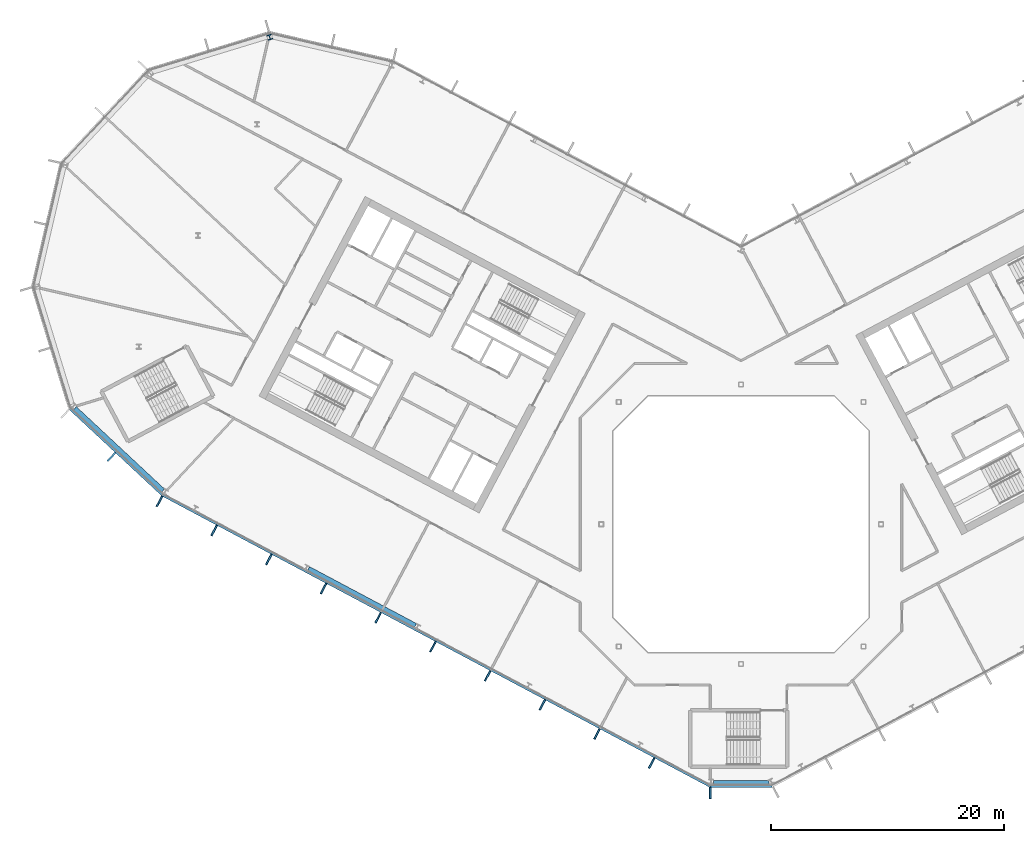
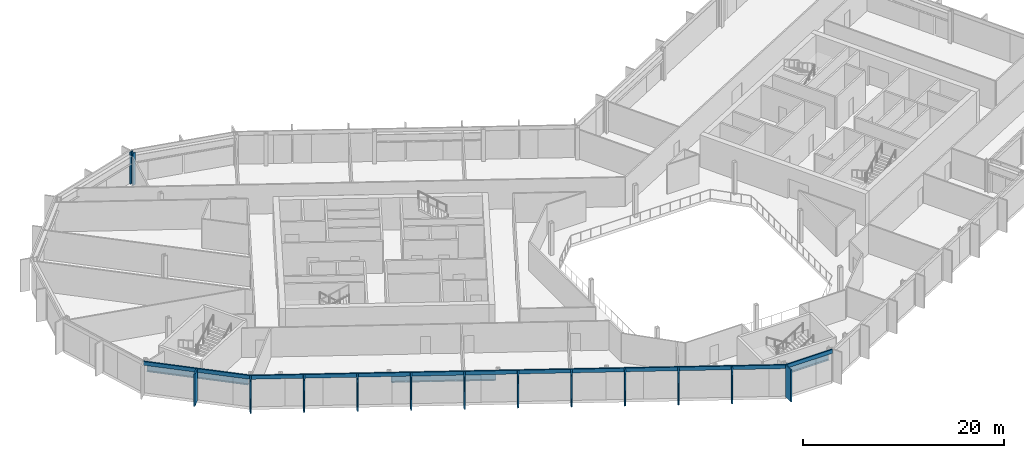
# One storey, part 8 of 27: 15 members, 3 beams, 1 column, 3 elements without a shape of their own.
"""IFC4 building model written with IfcOpenShell, lengths in metres."""

import ifcopenshell
import ifcopenshell.guid

model = None  # the IFC model being written
_history = None  # IfcOwnerHistory: only IFC2X3 demands one
_inside = {}  # id of a spatial element -> (the spatial element, [elements in it])
_under = {}  # id of a project, library or spatial element -> (it, [spatial elements below it])
_declared = {}  # id of a project -> (the project, [libraries it declares])
_typed = {}  # id of a type object -> (the type object, [elements of that type])
_made_of = {}  # id of a material, layer set ... -> (it, [elements and type objects made of it])


def new_model(schema):
    """Start an empty IFC model of exactly this schema.

    Asked for "IFC4X3", IfcOpenShell would pick the latest addendum, in which some entities
    have other attributes; the version numbers below select the first issue.
    IFC2X3 requires an IfcOwnerHistory on every rooted entity: one is made here for all.
    """
    global model, _history
    if schema == "IFC4X3":
        model = ifcopenshell.file(schema_version=(4, 3, 0, 0))
    else:
        model = ifcopenshell.file(schema=schema)
    _inside.clear()
    _under.clear()
    _declared.clear()
    _typed.clear()
    _made_of.clear()
    _history = None
    if model.schema == "IFC2X3":
        org = make("IfcOrganization", Name="unknown")
        user = make(
            "IfcPersonAndOrganization",
            ThePerson=make("IfcPerson", FamilyName="unknown"),
            TheOrganization=org,
        )
        app = make(
            "IfcApplication",
            ApplicationDeveloper=org,
            Version="unknown",
            ApplicationFullName="unknown",
            ApplicationIdentifier="unknown",
        )
        _history = make(
            "IfcOwnerHistory",
            OwningUser=user,
            OwningApplication=app,
            ChangeAction="ADDED",
            CreationDate=0,
        )
    return model


def make(cls, **values):
    """One entity of the class cls with the attributes given. An attribute that is None is left unset."""
    return model.create_entity(
        cls, **{name: value for name, value in values.items() if value is not None}
    )


def rooted(cls, **values):
    """An entity with a GlobalId (a new one), such as an element, a storey or a relation."""
    return make(cls, GlobalId=ifcopenshell.guid.new(), OwnerHistory=_history, **values)


def si_unit(unit_type, name, prefix=None):
    """IfcSIUnit, for example si_unit("LENGTHUNIT", "METRE", prefix="MILLI")."""
    return make("IfcSIUnit", UnitType=unit_type, Prefix=prefix, Name=name)


def assignment(units):
    """IfcUnitAssignment: the units of a project."""
    return None if units is None else make("IfcUnitAssignment", Units=units)


def point(xyz):
    """IfcCartesianPoint."""
    return None if xyz is None else make("IfcCartesianPoint", Coordinates=xyz)


def direction(xyz):
    """IfcDirection."""
    return None if xyz is None else make("IfcDirection", DirectionRatios=xyz)


def frame(location, z_axis=None, x_axis=None):
    """IfcAxis2Placement3D, a coordinate frame: its origin and axes. An axis left out is left unset."""
    return make(
        "IfcAxis2Placement3D",
        Location=point(location),
        Axis=direction(z_axis),
        RefDirection=direction(x_axis),
    )


def frame_2d(location, x_axis=None):
    """IfcAxis2Placement2D, a coordinate frame in the plane: its origin and x axis."""
    return make(
        "IfcAxis2Placement2D", Location=point(location), RefDirection=direction(x_axis)
    )


def origin():
    """The frame at (0, 0, 0) with its axes left unset."""
    return frame((0.0, 0.0, 0.0))


def origin_2d():
    """The frame at (0, 0) in the plane with its x axis left unset."""
    return frame_2d((0.0, 0.0))


def place(relative_to, where):
    """IfcLocalPlacement: puts the frame where relative to a parent placement (None: the world)."""
    return make(
        "IfcLocalPlacement", PlacementRelTo=relative_to, RelativePlacement=where
    )


def context(
    kind, dimensions, precision=None, world=None, true_north=None, identifier=None
):
    """IfcGeometricRepresentationContext, for example the 3D "Model" context."""
    return make(
        "IfcGeometricRepresentationContext",
        ContextIdentifier=identifier,
        ContextType=kind,
        CoordinateSpaceDimension=dimensions,
        Precision=precision,
        WorldCoordinateSystem=world,
        TrueNorth=true_north,
    )


def subcontext(parent, identifier, kind, view, scale=None):
    """IfcGeometricRepresentationSubContext, for example "Body" below "Model"."""
    return make(
        "IfcGeometricRepresentationSubContext",
        ContextIdentifier=identifier,
        ContextType=kind,
        ParentContext=parent,
        TargetScale=scale,
        TargetView=view,
    )


def project(units=None, contexts=None):
    """IfcProject with its units and contexts."""
    return rooted(
        "IfcProject",
        Name="project",
        RepresentationContexts=contexts,
        UnitsInContext=assignment(units),
    )


def spatial(cls, under=None, at=None, **own):
    """A site, building, storey or space (cls), placed at a placement, below another one or the project."""
    s = rooted(cls, ObjectPlacement=at, **own)
    if under is not None:
        _under.setdefault(under.id(), (under, []))[1].append(s)
    return s


def profile(cls, at=None, kind="AREA", **sizes):
    """A parametric profile (cls). Its sizes go by their IFC names, for example OverallWidth=200.0."""
    return make(cls, ProfileType=kind, Position=at, **sizes)


def rectangle(**sizes):
    """IfcRectangleProfileDef."""
    return profile("IfcRectangleProfileDef", **sizes)


def i_section(**sizes):
    """IfcIShapeProfileDef."""
    return profile("IfcIShapeProfileDef", **sizes)


def extrude(swept, where, along, depth):
    """IfcExtrudedAreaSolid: the profile swept, set in the frame where, extruded along a direction by depth."""
    return make(
        "IfcExtrudedAreaSolid",
        SweptArea=swept,
        Position=where,
        ExtrudedDirection=direction(along),
        Depth=depth,
    )


def shape(context_of_items, identifier, shape_type, items):
    """IfcShapeRepresentation: the items that make up one representation, for example the "Body"."""
    return make(
        "IfcShapeRepresentation",
        ContextOfItems=context_of_items,
        RepresentationIdentifier=identifier,
        RepresentationType=shape_type,
        Items=items,
    )


def material(Name=None, Category=None):
    """IfcMaterial."""
    return make("IfcMaterial", Name=Name, Category=Category)


def layer(
    of_material, thickness, ventilated=None, Name=None, Category=None, Priority=None
):
    """IfcMaterialLayer: one layer of a wall or slab, of a material (None: an air gap)."""
    return make(
        "IfcMaterialLayer",
        Material=of_material,
        LayerThickness=thickness,
        IsVentilated=ventilated,
        Name=Name,
        Category=Category,
        Priority=Priority,
    )


def layer_set(layers, Name=None):
    """IfcMaterialLayerSet."""
    return make("IfcMaterialLayerSet", MaterialLayers=layers, LayerSetName=Name)


def material_profile(
    of_material, cross_section, Name=None, Category=None, Priority=None
):
    """IfcMaterialProfile: a cross section and its material."""
    return make(
        "IfcMaterialProfile",
        Name=Name,
        Material=of_material,
        Profile=cross_section,
        Priority=Priority,
        Category=Category,
    )


def profile_set(profiles, Name=None, composite=None):
    """IfcMaterialProfileSet."""
    return make(
        "IfcMaterialProfileSet",
        Name=Name,
        MaterialProfiles=profiles,
        CompositeProfile=composite,
    )


def made_of(thing, what):
    """Note that an element or type object is made of a material, layer set ...; save() writes the relation."""
    if what is not None:
        _made_of.setdefault(what.id(), (what, []))[1].append(thing)
    return thing


def type_object(cls, material=None, **own):
    """A type object (cls), such as IfcWallType, which elements share."""
    return made_of(rooted(cls, **own), material)


def element(
    cls,
    number,
    at=None,
    inside=None,
    cuts=None,
    type_object=None,
    material=None,
    context=None,
    identifier="Body",
    shape_type=None,
    held_by="IfcProductDefinitionShape",
    body=None,
    shapes=None,
    **own,
):
    """One element of the class cls, such as IfcWall. Its Tag is "e" and its number.

    at: its placement. inside: the storey or other place that contains it. cuts: it is an
    opening in that element (IfcRelVoidsElement). A single representation is given by context,
    identifier, shape_type and body (its items); several are given by shapes. held_by: the class
    of the entity that holds the representations. save() writes the other relations.
    """
    e = rooted(cls, Tag="e%d" % number, ObjectPlacement=at, **own)
    if body is not None:
        shapes = [shape(context, identifier, shape_type, body)]
    if shapes is not None:
        e.Representation = make(held_by, Representations=shapes)
    if inside is not None:
        _inside.setdefault(inside.id(), (inside, []))[1].append(e)
    if cuts is not None:
        rooted(
            "IfcRelVoidsElement", RelatingBuildingElement=cuts, RelatedOpeningElement=e
        )
    if type_object is not None:
        _typed.setdefault(type_object.id(), (type_object, []))[1].append(e)
    return made_of(e, material)


def aggregate(whole, parts):
    """IfcRelAggregates: a whole, such as a stair, and the parts it consists of."""
    return rooted("IfcRelAggregates", RelatingObject=whole, RelatedObjects=parts)


def save(model, path):
    """Write the relations noted so far, then the file.

    IfcRelAggregates (storeys below a building ...), IfcRelContainedInSpatialStructure (elements
    in a storey), IfcRelDefinesByType, IfcRelAssociatesMaterial and IfcRelDeclares: one each for
    every whole, place, type object, material and project.
    """
    for whole, parts in _under.values():
        aggregate(whole, parts)
    for where, things in _inside.values():
        rooted(
            "IfcRelContainedInSpatialStructure",
            RelatedElements=things,
            RelatingStructure=where,
        )
    for kind, things in _typed.values():
        rooted("IfcRelDefinesByType", RelatedObjects=things, RelatingType=kind)
    for what, things in _made_of.values():
        rooted("IfcRelAssociatesMaterial", RelatedObjects=things, RelatingMaterial=what)
    for by, libraries in _declared.values():
        rooted("IfcRelDeclares", RelatingContext=by, RelatedDefinitions=libraries)
    model.write(path)


model = new_model("IFC4")

# Units and contexts
model_context = context("Model", 3, precision=1e-05, world=origin(), true_north=direction((0.0, 1.0)))
body_context = subcontext(model_context, "Body", "Model", "MODEL_VIEW")
ifc_project = project(units=[si_unit("LENGTHUNIT", "METRE"), si_unit("AREAUNIT", "SQUARE_METRE"), si_unit("VOLUMEUNIT", "CUBIC_METRE"), si_unit("PLANEANGLEUNIT", "RADIAN"), si_unit("MASSUNIT", "GRAM", prefix="KILO")], contexts=[model_context])

# Site, building, storey
site_placement = place(None, origin())
site = spatial("IfcSite", under=ifc_project, at=site_placement, CompositionType="ELEMENT")
building_placement = place(site_placement, origin())
building = spatial("IfcBuilding", under=site, at=building_placement, Name="Cormorant Relay Tower", CompositionType="ELEMENT")
storey_placement = place(building_placement, frame((0.0, 0.0, 201.300048828125)))
storey = spatial("IfcBuildingStorey", under=building, at=storey_placement, Name="L43", CompositionType="ELEMENT", Elevation=201.300048828125)

# Column
ifc_material_1 = material(Name="Steel ASTM A992 (Fy 345 MPa)", Category="steel")
ifc_material_profile_1 = material_profile(ifc_material_1, i_section(OverallWidth=0.41162109375, OverallDepth=0.434326171875, WebThickness=0.035888671875, FlangeThickness=0.057373046875, FilletRadius=0.01513671875, at=origin_2d()), Name="W360x463")
ifc_profile_set_1 = profile_set([ifc_material_profile_1], Name="Steel ASTM A992 (Fy 345 MPa)")
column_type = type_object("IfcColumnType", Name="Column W360x463", PredefinedType="COLUMN", material=ifc_profile_set_1)
column_placement = place(storey_placement, frame((-40.455078125, 41.803955078125, 0.0), z_axis=(0.0, 0.0, 1.0), x_axis=(-0.956304755963, -0.292371704723, 0.0)))
element("IfcColumn", 1, at=column_placement, inside=storey, type_object=column_type, Name="Column L43-045", PredefinedType="COLUMN", context=body_context, shape_type="SweptSolid", body=[
    extrude(i_section(OverallWidth=0.41162109375, OverallDepth=0.434326171875, WebThickness=0.035888671875, FlangeThickness=0.057373046875, FilletRadius=0.01513671875, at=origin_2d()), origin(), (0.0, 0.0, 1.0), 3.89990234375),
])

# Curtain wall, member
ifc_material_2 = material(Name="Aluminium 6063-T6 anodised bronze", Category="aluminium")
ifc_layer = layer(ifc_material_2, 0.199951171875)
ifc_layer_set = layer_set([ifc_layer], Name="CW1 unitised bronze curtain wall with vertical fins")
curtain_wall_type = type_object("IfcCurtainWallType", Name="CW1 unitised bronze curtain wall with vertical fins", PredefinedType="NOTDEFINED", material=ifc_layer_set)
curtain_wall_1_placement = place(storey_placement, origin())
curtain_wall_1 = element("IfcCurtainWall", 2, at=curtain_wall_1_placement, inside=storey, type_object=curtain_wall_type, Name="CW1 curtain wall 1", PredefinedType="NOTDEFINED")
ifc_material_3 = material(Name="Aluminium 6063-T6 anodised bronze", Category="aluminium")
ifc_material_profile_2 = material_profile(ifc_material_3, rectangle(XDim=0.14990234375, YDim=1.0, at=origin_2d()), Name="AL 150x1000")
ifc_profile_set_2 = profile_set([ifc_material_profile_2], Name="Aluminium 6063-T6 anodised bronze")
member_type_1 = type_object("IfcMemberType", Name="CW1 bronze fin mullion 150 x 1000", PredefinedType="MULLION", material=ifc_profile_set_2)
member_1_placement = place(storey_placement, frame((-2.648681640625, -23.07568359375, 0.0), z_axis=(0.0, 0.0, 1.0), x_axis=(1.0, 0.0, 0.0)))
member_1 = element("IfcMember", 3, at=member_1_placement, type_object=member_type_1, Name="CW1 fin 1.1", PredefinedType="MULLION", context=body_context, shape_type="SweptSolid", body=[
    extrude(rectangle(XDim=0.14990234375, YDim=1.0, at=origin_2d()), origin(), (0.0, 0.0, 1.0), 3.89990234375),
])

curtain_wall_2_placement = place(storey_placement, origin())
curtain_wall_2 = element("IfcCurtainWall", 4, at=curtain_wall_2_placement, inside=storey, type_object=curtain_wall_type, Name="CW1 curtain wall 15", PredefinedType="NOTDEFINED")
member_2_placement = place(storey_placement, frame((-54.0439453125, 5.779296875, 0.0), z_axis=(0.0, 0.0, 1.0), x_axis=(0.731353701619, -0.681998360062, 0.0)))
member_2 = element("IfcMember", 5, at=member_2_placement, type_object=member_type_1, Name="CW1 fin 15.2", PredefinedType="MULLION", context=body_context, shape_type="SweptSolid", body=[
    extrude(rectangle(XDim=0.14990234375, YDim=1.0, at=origin_2d()), origin(), (0.0, 0.0, 1.0), 3.89990234375),
])

# Curtain wall, members
curtain_wall_3_placement = place(storey_placement, origin())
curtain_wall_3 = element("IfcCurtainWall", 6, at=curtain_wall_3_placement, inside=storey, type_object=curtain_wall_type, Name="CW1 curtain wall 16", PredefinedType="NOTDEFINED")
member_3_placement = place(storey_placement, frame((-49.920166015625, 1.96630859375, 0.0), z_axis=(0.0, 0.0, 1.0), x_axis=(0.882947592859, -0.469471562786, 0.0)))
member_3 = element("IfcMember", 7, at=member_3_placement, type_object=member_type_1, Name="CW1 fin 16.1", PredefinedType="MULLION", context=body_context, shape_type="SweptSolid", body=[
    extrude(rectangle(XDim=0.14990234375, YDim=1.0, at=origin_2d()), origin(), (0.0, 0.0, 1.0), 3.89990234375),
])
member_4_placement = place(storey_placement, frame((-45.225830078125, -0.52978515625, 0.0), z_axis=(0.0, 0.0, 1.0), x_axis=(0.882947592859, -0.469471562786, 0.0)))
member_4 = element("IfcMember", 8, at=member_4_placement, type_object=member_type_1, Name="CW1 fin 16.2", PredefinedType="MULLION", context=body_context, shape_type="SweptSolid", body=[
    extrude(rectangle(XDim=0.14990234375, YDim=1.0, at=origin_2d()), origin(), (0.0, 0.0, 1.0), 3.89990234375),
])
member_5_placement = place(storey_placement, frame((-40.531494140625, -3.025634765625, 0.0), z_axis=(0.0, 0.0, 1.0), x_axis=(0.882947592859, -0.469471562786, 0.0)))
member_5 = element("IfcMember", 9, at=member_5_placement, type_object=member_type_1, Name="CW1 fin 16.3", PredefinedType="MULLION", context=body_context, shape_type="SweptSolid", body=[
    extrude(rectangle(XDim=0.14990234375, YDim=1.0, at=origin_2d()), origin(), (0.0, 0.0, 1.0), 3.89990234375),
])
member_6_placement = place(storey_placement, frame((-35.83740234375, -5.521728515625, 0.0), z_axis=(0.0, 0.0, 1.0), x_axis=(0.882947592859, -0.469471562786, 0.0)))
member_6 = element("IfcMember", 10, at=member_6_placement, type_object=member_type_1, Name="CW1 fin 16.4", PredefinedType="MULLION", context=body_context, shape_type="SweptSolid", body=[
    extrude(rectangle(XDim=0.14990234375, YDim=1.0, at=origin_2d()), origin(), (0.0, 0.0, 1.0), 3.89990234375),
])
member_7_placement = place(storey_placement, frame((-31.14306640625, -8.017578125, 0.0), z_axis=(0.0, 0.0, 1.0), x_axis=(0.882947592859, -0.469471562786, 0.0)))
member_7 = element("IfcMember", 11, at=member_7_placement, type_object=member_type_1, Name="CW1 fin 16.5", PredefinedType="MULLION", context=body_context, shape_type="SweptSolid", body=[
    extrude(rectangle(XDim=0.14990234375, YDim=1.0, at=origin_2d()), origin(), (0.0, 0.0, 1.0), 3.89990234375),
])
member_8_placement = place(storey_placement, frame((-26.44873046875, -10.513671875, 0.0), z_axis=(0.0, 0.0, 1.0), x_axis=(0.882947592859, -0.469471562786, 0.0)))
member_8 = element("IfcMember", 12, at=member_8_placement, type_object=member_type_1, Name="CW1 fin 16.6", PredefinedType="MULLION", context=body_context, shape_type="SweptSolid", body=[
    extrude(rectangle(XDim=0.14990234375, YDim=1.0, at=origin_2d()), origin(), (0.0, 0.0, 1.0), 3.89990234375),
])
member_9_placement = place(storey_placement, frame((-21.754638671875, -13.009765625, 0.0), z_axis=(0.0, 0.0, 1.0), x_axis=(0.882947592859, -0.469471562786, 0.0)))
member_9 = element("IfcMember", 13, at=member_9_placement, type_object=member_type_1, Name="CW1 fin 16.7", PredefinedType="MULLION", context=body_context, shape_type="SweptSolid", body=[
    extrude(rectangle(XDim=0.14990234375, YDim=1.0, at=origin_2d()), origin(), (0.0, 0.0, 1.0), 3.89990234375),
])
member_10_placement = place(storey_placement, frame((-17.060302734375, -15.505615234375, 0.0), z_axis=(0.0, 0.0, 1.0), x_axis=(0.882947592859, -0.469471562786, 0.0)))
member_10 = element("IfcMember", 14, at=member_10_placement, type_object=member_type_1, Name="CW1 fin 16.8", PredefinedType="MULLION", context=body_context, shape_type="SweptSolid", body=[
    extrude(rectangle(XDim=0.14990234375, YDim=1.0, at=origin_2d()), origin(), (0.0, 0.0, 1.0), 3.89990234375),
])
member_11_placement = place(storey_placement, frame((-12.365966796875, -18.001708984375, 0.0), z_axis=(0.0, 0.0, 1.0), x_axis=(0.882947592859, -0.469471562786, 0.0)))
member_11 = element("IfcMember", 15, at=member_11_placement, type_object=member_type_1, Name="CW1 fin 16.9", PredefinedType="MULLION", context=body_context, shape_type="SweptSolid", body=[
    extrude(rectangle(XDim=0.14990234375, YDim=1.0, at=origin_2d()), origin(), (0.0, 0.0, 1.0), 3.89990234375),
])
member_12_placement = place(storey_placement, frame((-7.671630859375, -20.49755859375, 0.0), z_axis=(0.0, 0.0, 1.0), x_axis=(0.882947592859, -0.469471562786, 0.0)))
member_12 = element("IfcMember", 16, at=member_12_placement, type_object=member_type_1, Name="CW1 fin 16.10", PredefinedType="MULLION", context=body_context, shape_type="SweptSolid", body=[
    extrude(rectangle(XDim=0.14990234375, YDim=1.0, at=origin_2d()), origin(), (0.0, 0.0, 1.0), 3.89990234375),
])

# Member
ifc_material_4 = material(Name="Aluminium 6063-T6 anodised bronze", Category="aluminium")
ifc_material_profile_3 = material_profile(ifc_material_4, rectangle(XDim=0.159912109375, YDim=0.449951171875, at=origin_2d()), Name="AL 160x450")
ifc_profile_set_3 = profile_set([ifc_material_profile_3], Name="Aluminium 6063-T6 anodised bronze")
member_type_2 = type_object("IfcMemberType", Name="CW1 bronze transom 160 x 450", PredefinedType="USERDEFINED", material=ifc_profile_set_3)
member_13_placement = place(storey_placement, frame((-2.648681640625, -22.49560546875, 3.675048828125), z_axis=(1.0, 0.0, 0.0), x_axis=(0.0, 1.0, 0.0)))
member_13 = element("IfcMember", 17, at=member_13_placement, type_object=member_type_2, Name="CW1 transom 1", ObjectType="TRANSOM", PredefinedType="USERDEFINED", context=body_context, shape_type="SweptSolid", body=[
    extrude(rectangle(XDim=0.159912109375, YDim=0.449951171875, at=origin_2d()), origin(), (0.0, 0.0, 1.0), 5.29736328125),
])

aggregate(curtain_wall_1, [member_1, member_13])

member_14_placement = place(storey_placement, frame((-57.62353515625, 9.91015625, 3.675048828125), z_axis=(0.731358420696, -0.681993299437, 0.0), x_axis=(0.681993299437, 0.731358420696, 0.0)))
member_14 = element("IfcMember", 18, at=member_14_placement, type_object=member_type_2, Name="CW1 transom 15", ObjectType="TRANSOM", PredefinedType="USERDEFINED", context=body_context, shape_type="SweptSolid", body=[
    extrude(rectangle(XDim=0.159912109375, YDim=0.449951171875, at=origin_2d()), origin(), (0.0, 0.0, 1.0), 10.870361328125),
])

aggregate(curtain_wall_2, [member_2, member_14])

member_15_placement = place(storey_placement, frame((-49.64794921875, 2.478515625, 3.675048828125), z_axis=(0.882947642542, -0.469471469346, 0.0), x_axis=(0.469471469346, 0.882947642542, 0.0)))
member_15 = element("IfcMember", 19, at=member_15_placement, type_object=member_type_2, Name="CW1 transom 16", ObjectType="TRANSOM", PredefinedType="USERDEFINED", context=body_context, shape_type="SweptSolid", body=[
    extrude(rectangle(XDim=0.159912109375, YDim=0.449951171875, at=origin_2d()), origin(), (0.0, 0.0, 1.0), 53.166015625),
])

aggregate(curtain_wall_3, [member_3, member_4, member_5, member_6, member_7, member_8, member_9, member_10, member_11, member_12, member_15])

# Beams
ifc_material_5 = material(Name="Steel ASTM A992 (Fy 345 MPa)", Category="steel")
ifc_material_profile_4 = material_profile(ifc_material_5, i_section(OverallWidth=0.4013671875, OverallDepth=0.990478515625, WebThickness=0.0166015625, FlangeThickness=0.031005859375, FilletRadius=0.030029296875, at=origin_2d()), Name="W1000x320")
ifc_profile_set_4 = profile_set([ifc_material_profile_4], Name="Steel ASTM A992 (Fy 345 MPa)")
beam_type = type_object("IfcBeamType", Name="Spandrel W1000x320", PredefinedType="SPANDREL", material=ifc_profile_set_4)
beam_1_placement = place(storey_placement, frame((-2.3701171875, -22.1748046875, 3.044677734375), z_axis=(1.0, 0.0, 0.0), x_axis=(0.0, 1.0, 0.0)))
element("IfcBeam", 20, at=beam_1_placement, inside=storey, type_object=beam_type, Name="Spandrel beam L43-001", PredefinedType="SPANDREL", context=body_context, shape_type="SweptSolid", body=[
    extrude(i_section(OverallWidth=0.4013671875, OverallDepth=0.990478515625, WebThickness=0.0166015625, FlangeThickness=0.031005859375, FilletRadius=0.030029296875, at=origin_2d()), origin(), (0.0, 0.0, 1.0), 4.761474609375),
])
beam_2_placement = place(storey_placement, frame((-57.19580078125, 9.94970703125, 3.044677734375), z_axis=(0.731351589689, -0.682000624824, 0.0), x_axis=(0.682000624824, 0.731351589689, 0.0)))
element("IfcBeam", 21, at=beam_2_placement, inside=storey, type_object=beam_type, Name="Spandrel beam L43-015", PredefinedType="SPANDREL", context=body_context, shape_type="SweptSolid", body=[
    extrude(i_section(OverallWidth=0.4013671875, OverallDepth=0.990478515625, WebThickness=0.0166015625, FlangeThickness=0.031005859375, FilletRadius=0.030029296875, at=origin_2d()), origin(), (0.0, 0.0, 1.0), 10.354248046875),
])
beam_3_placement = place(storey_placement, frame((-37.134033203125, -3.812255859375, 3.044677734375), z_axis=(0.882949648898, -0.469467695918, 0.0), x_axis=(0.469467695918, 0.882949648898, 0.0)))
element("IfcBeam", 22, at=beam_3_placement, inside=storey, type_object=beam_type, Name="Spandrel beam L43-016", PredefinedType="SPANDREL", context=body_context, shape_type="SweptSolid", body=[
    extrude(i_section(OverallWidth=0.4013671875, OverallDepth=0.990478515625, WebThickness=0.0166015625, FlangeThickness=0.031005859375, FilletRadius=0.030029296875, at=origin_2d()), origin(), (0.0, 0.0, 1.0), 10.39599609375),
])

save(model, "model.ifc")
